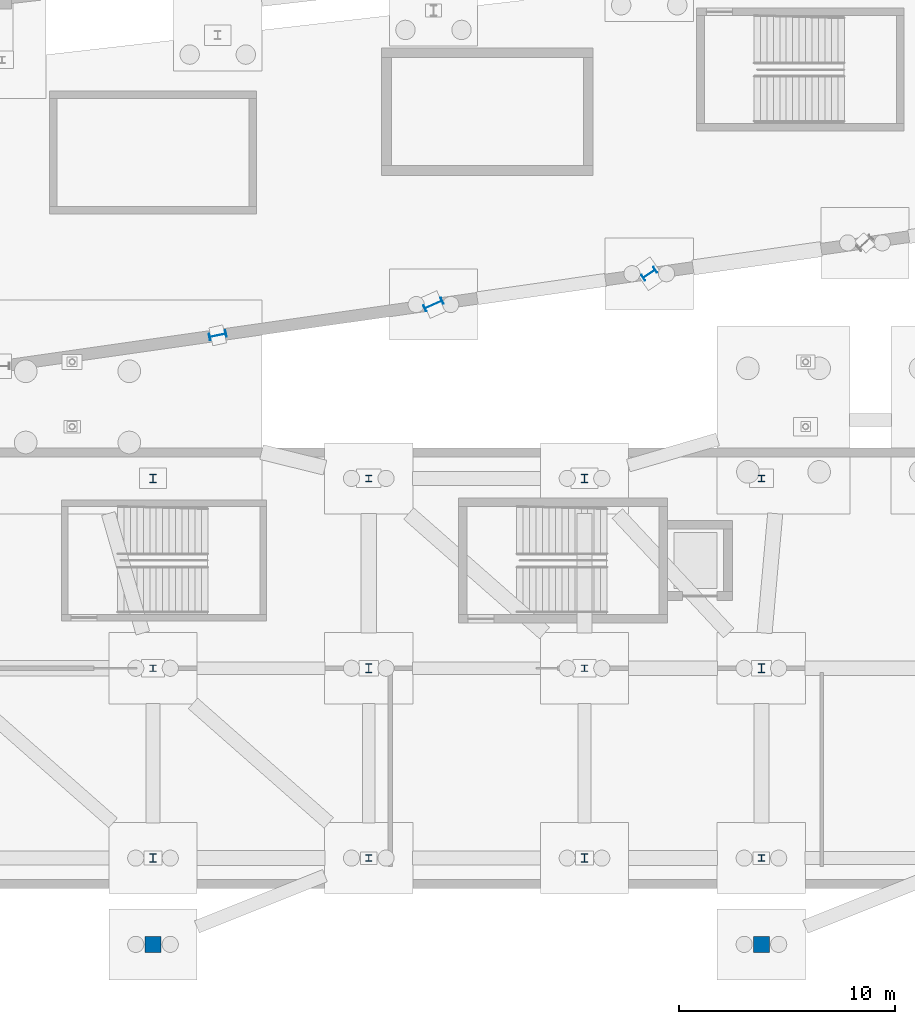
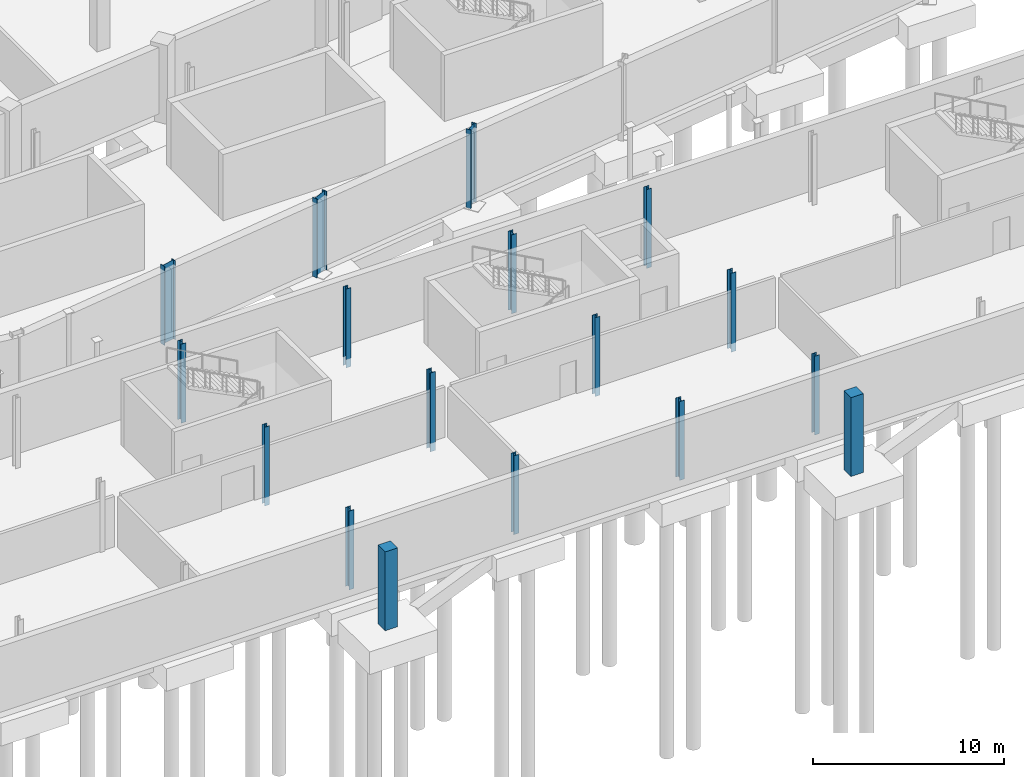
# One storey, part 12 of 55: 17 columns.
"""IFC4 building model written with IfcOpenShell, lengths in metres."""

from ifc_helpers import new_model, si_unit, direction, frame, origin, origin_2d, place, context, subcontext, project, spatial, rectangle, i_section, extrude, material, material_profile, profile_set, type_object, element, save


model = new_model("IFC4")

# Units and contexts
model_context = context("Model", 3, precision=1e-05, world=origin(), true_north=direction((0.0, 1.0)))
body_context = subcontext(model_context, "Body", "Model", "MODEL_VIEW")
ifc_project = project(units=[si_unit("LENGTHUNIT", "METRE"), si_unit("AREAUNIT", "SQUARE_METRE"), si_unit("VOLUMEUNIT", "CUBIC_METRE"), si_unit("PLANEANGLEUNIT", "RADIAN"), si_unit("MASSUNIT", "GRAM", prefix="KILO")], contexts=[model_context])

# Site, building, storey
site_placement = place(None, origin())
site = spatial("IfcSite", under=ifc_project, at=site_placement, CompositionType="ELEMENT")
building_placement = place(site_placement, origin())
building = spatial("IfcBuilding", under=site, at=building_placement, Name="Sohan Crest Arena", CompositionType="ELEMENT")
storey_placement = place(building_placement, frame((0.0, 0.0, -4.5)))
storey = spatial("IfcBuildingStorey", under=building, at=storey_placement, Name="B1", CompositionType="ELEMENT", Elevation=-4.5)

# Columns
ifc_material_1 = material(Name="Concrete C40/50", Category="concrete")
ifc_material_profile_1 = material_profile(ifc_material_1, rectangle(XDim=0.75, YDim=0.75, at=origin_2d()), Name="RC 750x750")
ifc_profile_set_1 = profile_set([ifc_material_profile_1], Name="Concrete C40/50")
column_type_1 = type_object("IfcColumnType", Name="STR-COL-C04", PredefinedType="COLUMN", material=ifc_profile_set_1)
for number, where, z_axis, x_axis, name in (
    (1, (105.0, 3.199951171875, -0.550048828125), (0.0, 0.0, 1.0), (1.0, 0.0, 0.0), "Structural column COL-V5AP-2-B1"),
    (2, (133.199951171875, 3.199951171875, -0.550048828125), (0.0, 0.0, 1.0), (1.0, 0.0, 0.0), "Structural column COL-V5AP-3-B1"),
):
    element("IfcColumn", number, at=place(storey_placement, frame(where, z_axis=z_axis, x_axis=x_axis)), inside=storey, type_object=column_type_1, Name=name, PredefinedType="COLUMN", context=body_context, shape_type="SweptSolid", body=[
        extrude(rectangle(XDim=0.75, YDim=0.75, at=origin_2d()), origin(), (0.0, 0.0, 1.0), 5.050048828125),
    ])
ifc_material_2 = material(Name="Steel S355", Category="steel")
ifc_material_profile_2 = material_profile(ifc_material_2, i_section(OverallWidth=0.300048828125, OverallDepth=0.300048828125, WebThickness=0.010986328125, FlangeThickness=0.01904296875, at=origin_2d()), Name="HEB 300")
ifc_profile_set_2 = profile_set([ifc_material_profile_2], Name="Steel S355")
column_type_2 = type_object("IfcColumnType", Name="STR-COL-C17", PredefinedType="COLUMN", material=ifc_profile_set_2)
for number, where, z_axis, x_axis, name in (
    (3, (105.0, 16.0, -0.550048828125), (0.0, 0.0, 1.0), (1.0, 0.0, 0.0), "Structural column COL-V5C-04-2-B1"),
    (4, (115.0, 7.199951171875, -0.550048828125), (0.0, 0.0, 1.0), (1.0, 0.0, 0.0), "Structural column COL-V5C-05-1-B1"),
    (5, (115.0, 24.800048828125, -0.550048828125), (0.0, 0.0, 1.0), (1.0, 0.0, 0.0), "Structural column COL-V5C-05-3-B1"),
    (6, (125.0, 16.0, -0.550048828125), (0.0, 0.0, 1.0), (1.0, 0.0, 0.0), "Structural column COL-V5C-06-2-B1"),
    (7, (133.199951171875, 7.199951171875, -0.550048828125), (0.0, 0.0, 1.0), (1.0, 0.0, 0.0), "Structural column COL-V5C-07-1-B1"),
    (8, (133.199951171875, 24.800048828125, -0.550048828125), (0.0, 0.0, 1.0), (1.0, 0.0, 0.0), "Structural column COL-V5C-07-3-B1"),
):
    element("IfcColumn", number, at=place(storey_placement, frame(where, z_axis=z_axis, x_axis=x_axis)), inside=storey, type_object=column_type_2, Name=name, PredefinedType="COLUMN", context=body_context, shape_type="SweptSolid", body=[
        extrude(i_section(OverallWidth=0.300048828125, OverallDepth=0.300048828125, WebThickness=0.010986328125, FlangeThickness=0.01904296875, at=origin_2d()), origin(), (0.0, 0.0, 1.0), 5.050048828125),
    ])
ifc_material_profile_3 = material_profile(ifc_material_2, i_section(OverallWidth=0.300048828125, OverallDepth=0.39990234375, WebThickness=0.013427734375, FlangeThickness=0.02392578125, at=origin_2d()), Name="HEB 400")
ifc_profile_set_3 = profile_set([ifc_material_profile_3], Name="Steel S355")
column_type_3 = type_object("IfcColumnType", Name="STR-COL-C18", PredefinedType="COLUMN", material=ifc_profile_set_3)
for number, where, z_axis, x_axis, name in (
    (9, (105.0, 7.199951171875, -0.550048828125), (0.0, 0.0, 1.0), (1.0, 0.0, 0.0), "Structural column COL-V5C-04-1-B1"),
    (10, (105.0, 24.800048828125, -0.550048828125), (0.0, 0.0, 1.0), (1.0, 0.0, 0.0), "Structural column COL-V5C-04-3-B1"),
    (11, (115.0, 16.0, -0.550048828125), (0.0, 0.0, 1.0), (1.0, 0.0, 0.0), "Structural column COL-V5C-05-2-B1"),
    (12, (125.0, 7.199951171875, -0.550048828125), (0.0, 0.0, 1.0), (1.0, 0.0, 0.0), "Structural column COL-V5C-06-1-B1"),
    (13, (125.0, 24.800048828125, -0.550048828125), (0.0, 0.0, 1.0), (1.0, 0.0, 0.0), "Structural column COL-V5C-06-3-B1"),
    (14, (133.199951171875, 16.0, -0.550048828125), (0.0, 0.0, 1.0), (1.0, 0.0, 0.0), "Structural column COL-V5C-07-2-B1"),
):
    element("IfcColumn", number, at=place(storey_placement, frame(where, z_axis=z_axis, x_axis=x_axis)), inside=storey, type_object=column_type_3, Name=name, PredefinedType="COLUMN", context=body_context, shape_type="SweptSolid", body=[
        extrude(i_section(OverallWidth=0.300048828125, OverallDepth=0.39990234375, WebThickness=0.013427734375, FlangeThickness=0.02392578125, at=origin_2d()), origin(), (0.0, 0.0, 1.0), 5.050048828125),
    ])
ifc_material_profile_4 = material_profile(ifc_material_2, i_section(OverallWidth=0.300048828125, OverallDepth=0.699951171875, WebThickness=0.01708984375, FlangeThickness=0.031982421875, at=origin_2d()), Name="HEB 700")
ifc_profile_set_4 = profile_set([ifc_material_profile_4], Name="Steel S355")
column_type_4 = type_object("IfcColumnType", Name="STR-COL-C21", PredefinedType="COLUMN", material=ifc_profile_set_4)
column_1_placement = place(storey_placement, frame((128.0, 34.285888671875, -0.550048828125), z_axis=(0.0, 0.0, 1.0), x_axis=(-0.566406236925, 0.824126188622, 0.0)))
element("IfcColumn", 15, at=column_1_placement, inside=storey, type_object=column_type_4, Name="Structural column COL-V2O-16-B1", PredefinedType="COLUMN", context=body_context, shape_type="SweptSolid", body=[
    extrude(i_section(OverallWidth=0.300048828125, OverallDepth=0.699951171875, WebThickness=0.01708984375, FlangeThickness=0.031982421875, at=origin_2d()), origin(), (0.0, 0.0, 1.0), 5.050048828125),
])
ifc_material_profile_5 = material_profile(ifc_material_2, i_section(OverallWidth=0.300048828125, OverallDepth=0.800048828125, WebThickness=0.017578125, FlangeThickness=0.032958984375, at=origin_2d()), Name="HEB 800")
ifc_profile_set_5 = profile_set([ifc_material_profile_5], Name="Steel S355")
column_type_5 = type_object("IfcColumnType", Name="STR-COL-C22", PredefinedType="COLUMN", material=ifc_profile_set_5)
column_2_placement = place(storey_placement, frame((108.0, 31.428955078125, -0.550048828125), z_axis=(0.0, 0.0, 1.0), x_axis=(-0.209618562904, 0.977783236759, 0.0)))
element("IfcColumn", 16, at=column_2_placement, inside=storey, type_object=column_type_5, Name="Structural column COL-V2O-14-B1", PredefinedType="COLUMN", context=body_context, shape_type="SweptSolid", body=[
    extrude(i_section(OverallWidth=0.300048828125, OverallDepth=0.800048828125, WebThickness=0.017578125, FlangeThickness=0.032958984375, at=origin_2d()), origin(), (0.0, 0.0, 1.0), 5.050048828125),
])
ifc_material_profile_6 = material_profile(ifc_material_2, i_section(OverallWidth=0.300048828125, OverallDepth=0.89990234375, WebThickness=0.0185546875, FlangeThickness=0.034912109375, at=origin_2d()), Name="HEB 900")
ifc_profile_set_6 = profile_set([ifc_material_profile_6], Name="Steel S355")
column_type_6 = type_object("IfcColumnType", Name="STR-COL-C23", PredefinedType="COLUMN", material=ifc_profile_set_6)
column_3_placement = place(storey_placement, frame((118.0, 32.85693359375, -0.550048828125), z_axis=(0.0, 0.0, 1.0), x_axis=(-0.40514158678, 0.914253955234, 0.0)))
element("IfcColumn", 17, at=column_3_placement, inside=storey, type_object=column_type_6, Name="Structural column COL-V2O-15-B1", PredefinedType="COLUMN", context=body_context, shape_type="SweptSolid", body=[
    extrude(i_section(OverallWidth=0.300048828125, OverallDepth=0.89990234375, WebThickness=0.0185546875, FlangeThickness=0.034912109375, at=origin_2d()), origin(), (0.0, 0.0, 1.0), 5.050048828125),
])

save(model, "model.ifc")
